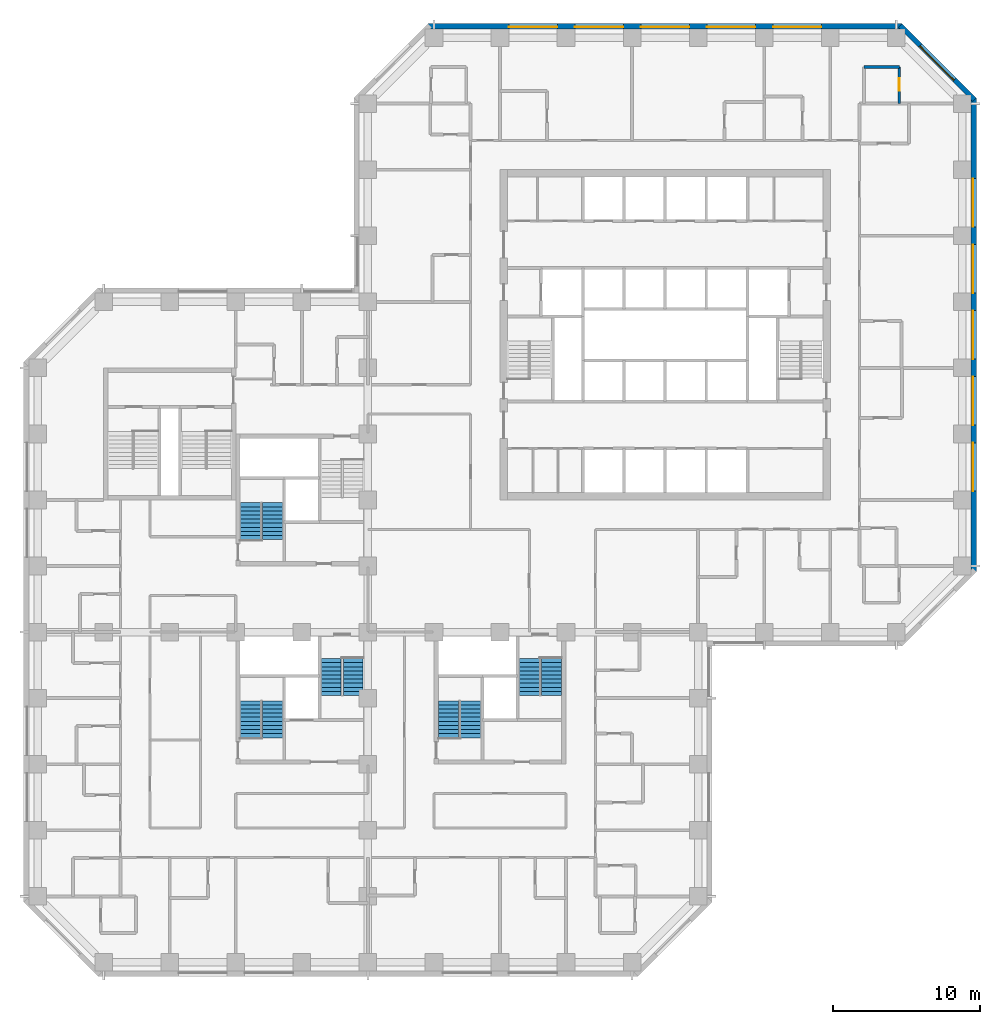
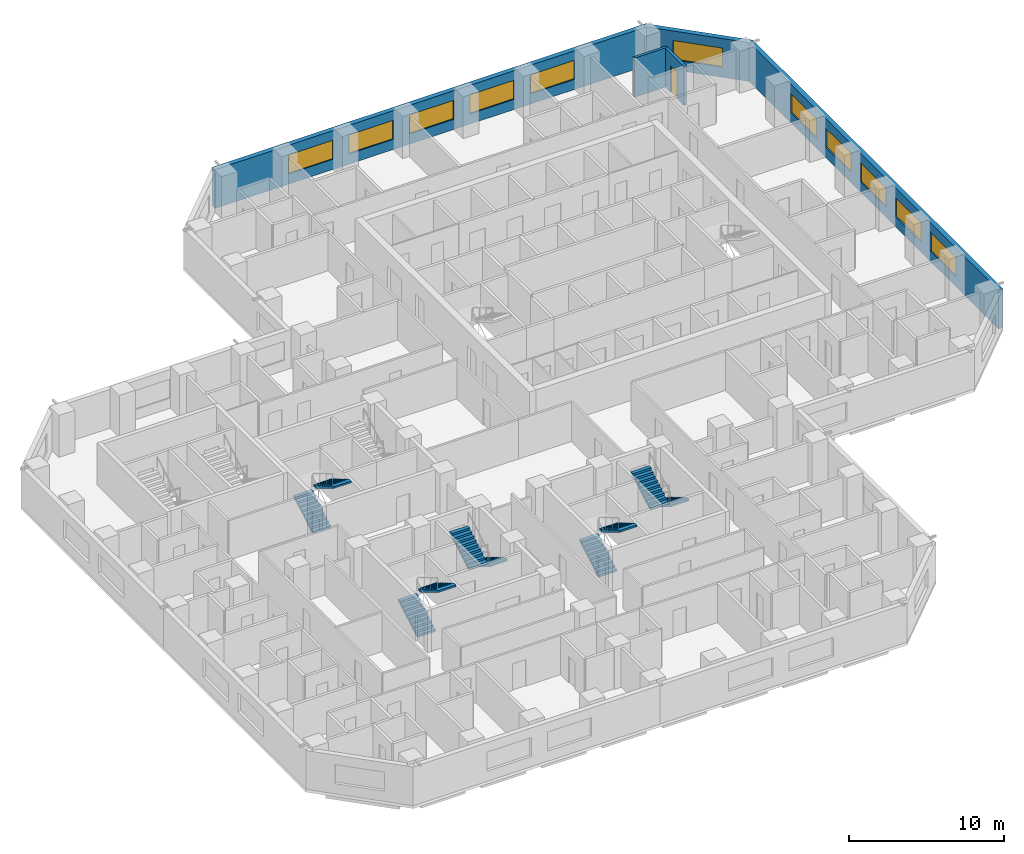
# One storey, part 11 of 13: 11 windows, 10 stair flights, 5 walls, 1 door, 12 openings, 5 elements without a shape of their own.
"""IFC4 building model written with IfcOpenShell, lengths in metres."""

from ifc_helpers import new_model, si_unit, direction, frame, frame_2d, origin, place, context, subcontext, project, spatial, polyline, rectangle, outline, extrude, material, layer, layer_set, constituent, constituent_set, type_object, element, fill, aggregate, save


model = new_model("IFC4")

# Units and contexts
model_context = context("Model", 3, precision=1e-05, world=origin(), true_north=direction((0.0, 1.0)))
body_context = subcontext(model_context, "Body", "Model", "MODEL_VIEW")
ifc_project = project(units=[si_unit("LENGTHUNIT", "METRE"), si_unit("AREAUNIT", "SQUARE_METRE"), si_unit("VOLUMEUNIT", "CUBIC_METRE"), si_unit("PLANEANGLEUNIT", "RADIAN"), si_unit("MASSUNIT", "GRAM", prefix="KILO")], contexts=[model_context])

# Site, building, storey
site_placement = place(None, origin())
site = spatial("IfcSite", under=ifc_project, at=site_placement, CompositionType="ELEMENT")
building_placement = place(site_placement, origin())
building = spatial("IfcBuilding", under=site, at=building_placement, Name="Quoin Convention Tower", CompositionType="ELEMENT")
storey_placement = place(building_placement, frame((0.0, 0.0, 36.300048828125)))
storey = spatial("IfcBuildingStorey", under=building, at=storey_placement, Name="L08", CompositionType="ELEMENT", Elevation=36.300048828125)

# Wall, openings, windows
ifc_material_1 = material(Name="Brick masonry", Category="masonry")
ifc_layer_1 = layer(ifc_material_1, 0.35009765625)
ifc_layer_set_1 = layer_set([ifc_layer_1], Name="Brick masonry")
wall_type_1 = type_object("IfcWallType", Name="Brick facade wall", PredefinedType="STANDARD", material=ifc_layer_set_1)
wall_1_placement = place(storey_placement, frame((77.27490234375, 44.6064453125, 0.0), z_axis=(0.0, 0.0, 1.0), x_axis=(0.0, 1.0, 0.0)))
wall_1 = element("IfcWall", 1, at=wall_1_placement, inside=storey, type_object=wall_type_1, Name="fw-L08-76500_45000", PredefinedType="STANDARD", context=body_context, shape_type="SweptSolid", body=[
    extrude(rectangle(XDim=32.287109375, YDim=0.35009765625, at=frame_2d((16.1435546875, 0.0))), origin(), (0.0, 0.0, 1.0), 3.054931640625),
])
opening_1_placement = place(wall_1_placement, frame((5.493408203125, 0.0, 0.800048828125)))
opening_1 = element("IfcOpeningElement", 2, at=opening_1_placement, cuts=wall_1, Name="Opening W-01", PredefinedType="OPENING", context=body_context, shape_type="SweptSolid", body=[
    extrude(rectangle(XDim=3.300048828125, YDim=1.5, at=frame_2d((1.64990234375, 0.75))), frame((0.0, 0.18505859375, 0.0), z_axis=(0.0, -1.0, 0.0), x_axis=(1.0, 0.0, 0.0)), (0.0, 0.0, 1.0), 0.3701171875),
])
opening_2_placement = place(wall_1_placement, frame((9.993408203125, 0.0, 0.800048828125)))
opening_2 = element("IfcOpeningElement", 3, at=opening_2_placement, cuts=wall_1, Name="Opening W-01", PredefinedType="OPENING", context=body_context, shape_type="SweptSolid", body=[
    extrude(rectangle(XDim=3.300048828125, YDim=1.5, at=frame_2d((1.64990234375, 0.75))), frame((0.0, 0.18505859375, 0.0), z_axis=(0.0, -1.0, 0.0), x_axis=(1.0, 0.0, 0.0)), (0.0, 0.0, 1.0), 0.3701171875),
])
opening_3_placement = place(wall_1_placement, frame((14.493408203125, 0.0, 0.800048828125)))
opening_3 = element("IfcOpeningElement", 4, at=opening_3_placement, cuts=wall_1, Name="Opening W-01", PredefinedType="OPENING", context=body_context, shape_type="SweptSolid", body=[
    extrude(rectangle(XDim=3.300048828125, YDim=1.5, at=frame_2d((1.64990234375, 0.75))), frame((0.0, 0.18505859375, 0.0), z_axis=(0.0, -1.0, 0.0), x_axis=(1.0, 0.0, 0.0)), (0.0, 0.0, 1.0), 0.3701171875),
])
opening_4_placement = place(wall_1_placement, frame((18.993408203125, 0.0, 0.800048828125)))
opening_4 = element("IfcOpeningElement", 5, at=opening_4_placement, cuts=wall_1, Name="Opening W-01", PredefinedType="OPENING", context=body_context, shape_type="SweptSolid", body=[
    extrude(rectangle(XDim=3.300048828125, YDim=1.5, at=frame_2d((1.64990234375, 0.75))), frame((0.0, 0.18505859375, 0.0), z_axis=(0.0, -1.0, 0.0), x_axis=(1.0, 0.0, 0.0)), (0.0, 0.0, 1.0), 0.3701171875),
])
opening_5_placement = place(wall_1_placement, frame((23.493408203125, 0.0, 0.800048828125)))
opening_5 = element("IfcOpeningElement", 6, at=opening_5_placement, cuts=wall_1, Name="Opening W-01", PredefinedType="OPENING", context=body_context, shape_type="SweptSolid", body=[
    extrude(rectangle(XDim=3.300048828125, YDim=1.5, at=frame_2d((1.64990234375, 0.75))), frame((0.0, 0.18505859375, 0.0), z_axis=(0.0, -1.0, 0.0), x_axis=(1.0, 0.0, 0.0)), (0.0, 0.0, 1.0), 0.3701171875),
])
ifc_material_2 = material(Name="Aluminium", Category="aluminium")
ifc_constituent_1 = constituent(ifc_material_2, Name="Frame")
ifc_material_3 = material(Name="Insulated glass", Category="glass")
ifc_constituent_2 = constituent(ifc_material_3, Name="Glazing")
ifc_constituent_set = constituent_set(constituents=[ifc_constituent_1, ifc_constituent_2], Name="Aluminium")
window_type = type_object("IfcWindowType", Name="Hotel strip window", PartitioningType="DOUBLE_PANEL_VERTICAL", PredefinedType="WINDOW", material=ifc_constituent_set)
window_1_placement = place(opening_1_placement, origin())
window_1 = element("IfcWindow", 7, at=window_1_placement, inside=storey, type_object=window_type, Name="win-L08-77275_51750", OverallHeight=1.5, OverallWidth=3.300048828125, PartitioningType="SINGLE_PANEL", PredefinedType="WINDOW", context=body_context, shape_type="SweptSolid", body=[
    extrude(rectangle(XDim=3.300048828125, YDim=1.5, at=frame_2d((1.64990234375, 0.75))), frame((0.0, 0.0849609375, 0.0), z_axis=(0.0, -1.0, 0.0), x_axis=(1.0, 0.0, 0.0)), (0.0, 0.0, 1.0), 0.06005859375),
])
fill(opening_1, window_1)
window_2_placement = place(opening_2_placement, origin())
window_2 = element("IfcWindow", 8, at=window_2_placement, inside=storey, type_object=window_type, Name="win-L08-77275_56250", OverallHeight=1.5, OverallWidth=3.300048828125, PartitioningType="SINGLE_PANEL", PredefinedType="WINDOW", context=body_context, shape_type="SweptSolid", body=[
    extrude(rectangle(XDim=3.300048828125, YDim=1.5, at=frame_2d((1.64990234375, 0.75))), frame((0.0, 0.0849609375, 0.0), z_axis=(0.0, -1.0, 0.0), x_axis=(1.0, 0.0, 0.0)), (0.0, 0.0, 1.0), 0.06005859375),
])
fill(opening_2, window_2)
window_3_placement = place(opening_3_placement, origin())
window_3 = element("IfcWindow", 9, at=window_3_placement, inside=storey, type_object=window_type, Name="win-L08-77275_60750", OverallHeight=1.5, OverallWidth=3.300048828125, PartitioningType="SINGLE_PANEL", PredefinedType="WINDOW", context=body_context, shape_type="SweptSolid", body=[
    extrude(rectangle(XDim=3.300048828125, YDim=1.5, at=frame_2d((1.64990234375, 0.75))), frame((0.0, 0.0849609375, 0.0), z_axis=(0.0, -1.0, 0.0), x_axis=(1.0, 0.0, 0.0)), (0.0, 0.0, 1.0), 0.06005859375),
])
fill(opening_3, window_3)
window_4_placement = place(opening_4_placement, origin())
window_4 = element("IfcWindow", 10, at=window_4_placement, inside=storey, type_object=window_type, Name="win-L08-77275_65250", OverallHeight=1.5, OverallWidth=3.300048828125, PartitioningType="SINGLE_PANEL", PredefinedType="WINDOW", context=body_context, shape_type="SweptSolid", body=[
    extrude(rectangle(XDim=3.300048828125, YDim=1.5, at=frame_2d((1.64990234375, 0.75))), frame((0.0, 0.0849609375, 0.0), z_axis=(0.0, -1.0, 0.0), x_axis=(1.0, 0.0, 0.0)), (0.0, 0.0, 1.0), 0.06005859375),
])
fill(opening_4, window_4)
window_5_placement = place(opening_5_placement, origin())
window_5 = element("IfcWindow", 11, at=window_5_placement, inside=storey, type_object=window_type, Name="win-L08-77275_69750", OverallHeight=1.5, OverallWidth=3.300048828125, PartitioningType="SINGLE_PANEL", PredefinedType="WINDOW", context=body_context, shape_type="SweptSolid", body=[
    extrude(rectangle(XDim=3.300048828125, YDim=1.5, at=frame_2d((1.64990234375, 0.75))), frame((0.0, 0.0849609375, 0.0), z_axis=(0.0, -1.0, 0.0), x_axis=(1.0, 0.0, 0.0)), (0.0, 0.0, 1.0), 0.06005859375),
])
fill(opening_5, window_5)

# Wall, opening, window
wall_2_placement = place(storey_placement, frame((77.326416015625, 76.769775390625, 0.0), z_axis=(0.0, 0.0, 1.0), x_axis=(-0.707106781187, 0.707106781187, 0.0)))
wall_2 = element("IfcWall", 12, at=wall_2_placement, inside=storey, type_object=wall_type_1, Name="fw-L08-76500_76500", PredefinedType="STANDARD", context=body_context, shape_type="SweptSolid", body=[
    extrude(rectangle(XDim=7.151123046875, YDim=0.35009765625, at=frame_2d((3.57568359375, 0.0))), origin(), (0.0, 0.0, 1.0), 3.054931640625),
])
opening_6_placement = place(wall_2_placement, frame((1.925537109375, 0.0, 0.800048828125)))
opening_6 = element("IfcOpeningElement", 13, at=opening_6_placement, cuts=wall_2, Name="Opening W-01", PredefinedType="OPENING", context=body_context, shape_type="SweptSolid", body=[
    extrude(rectangle(XDim=3.300048828125, YDim=1.5, at=frame_2d((1.64990234375, 0.75))), frame((0.0, 0.18505859375, 0.0), z_axis=(0.0, -1.0, 0.0), x_axis=(1.0, 0.0, 0.0)), (0.0, 0.0, 1.0), 0.3701171875),
])
window_6_placement = place(opening_6_placement, origin())
window_6 = element("IfcWindow", 14, at=window_6_placement, inside=storey, type_object=window_type, Name="win-L08-74798_79298", OverallHeight=1.5, OverallWidth=3.300048828125, PartitioningType="SINGLE_PANEL", PredefinedType="WINDOW", context=body_context, shape_type="SweptSolid", body=[
    extrude(rectangle(XDim=3.300048828125, YDim=1.5, at=frame_2d((1.64990234375, 0.75))), frame((0.0, 0.0849609375, 0.0), z_axis=(0.0, -1.0, 0.0), x_axis=(1.0, 0.0, 0.0)), (0.0, 0.0, 1.0), 0.06005859375),
])
fill(opening_6, window_6)

# Wall, openings, windows
wall_3_placement = place(storey_placement, frame((72.3935546875, 81.77490234375, 0.0), z_axis=(0.0, 0.0, 1.0), x_axis=(-1.0, 0.0, 0.0)))
wall_3 = element("IfcWall", 15, at=wall_3_placement, inside=storey, type_object=wall_type_1, Name="fw-L08-72000_81000", PredefinedType="STANDARD", context=body_context, shape_type="SweptSolid", body=[
    extrude(rectangle(XDim=32.287109375, YDim=0.35009765625, at=frame_2d((16.1435546875, 0.0))), origin(), (0.0, 0.0, 1.0), 3.054931640625),
])
opening_7_placement = place(wall_3_placement, frame((5.493408203125, 0.0, 0.800048828125)))
opening_7 = element("IfcOpeningElement", 16, at=opening_7_placement, cuts=wall_3, Name="Opening W-01", PredefinedType="OPENING", context=body_context, shape_type="SweptSolid", body=[
    extrude(rectangle(XDim=3.300048828125, YDim=1.5, at=frame_2d((1.64990234375, 0.75))), frame((0.0, 0.18505859375, 0.0), z_axis=(0.0, -1.0, 0.0), x_axis=(1.0, 0.0, 0.0)), (0.0, 0.0, 1.0), 0.3701171875),
])
opening_8_placement = place(wall_3_placement, frame((9.993408203125, 0.0, 0.800048828125)))
opening_8 = element("IfcOpeningElement", 17, at=opening_8_placement, cuts=wall_3, Name="Opening W-01", PredefinedType="OPENING", context=body_context, shape_type="SweptSolid", body=[
    extrude(rectangle(XDim=3.300048828125, YDim=1.5, at=frame_2d((1.64990234375, 0.75))), frame((0.0, 0.18505859375, 0.0), z_axis=(0.0, -1.0, 0.0), x_axis=(1.0, 0.0, 0.0)), (0.0, 0.0, 1.0), 0.3701171875),
])
opening_9_placement = place(wall_3_placement, frame((14.493408203125, 0.0, 0.800048828125)))
opening_9 = element("IfcOpeningElement", 18, at=opening_9_placement, cuts=wall_3, Name="Opening W-01", PredefinedType="OPENING", context=body_context, shape_type="SweptSolid", body=[
    extrude(rectangle(XDim=3.300048828125, YDim=1.5, at=frame_2d((1.64990234375, 0.75))), frame((0.0, 0.18505859375, 0.0), z_axis=(0.0, -1.0, 0.0), x_axis=(1.0, 0.0, 0.0)), (0.0, 0.0, 1.0), 0.3701171875),
])
opening_10_placement = place(wall_3_placement, frame((18.993408203125, 0.0, 0.800048828125)))
opening_10 = element("IfcOpeningElement", 19, at=opening_10_placement, cuts=wall_3, Name="Opening W-01", PredefinedType="OPENING", context=body_context, shape_type="SweptSolid", body=[
    extrude(rectangle(XDim=3.300048828125, YDim=1.5, at=frame_2d((1.64990234375, 0.75))), frame((0.0, 0.18505859375, 0.0), z_axis=(0.0, -1.0, 0.0), x_axis=(1.0, 0.0, 0.0)), (0.0, 0.0, 1.0), 0.3701171875),
])
opening_11_placement = place(wall_3_placement, frame((23.493408203125, 0.0, 0.800048828125)))
opening_11 = element("IfcOpeningElement", 20, at=opening_11_placement, cuts=wall_3, Name="Opening W-01", PredefinedType="OPENING", context=body_context, shape_type="SweptSolid", body=[
    extrude(rectangle(XDim=3.300048828125, YDim=1.5, at=frame_2d((1.64990234375, 0.75))), frame((0.0, 0.18505859375, 0.0), z_axis=(0.0, -1.0, 0.0), x_axis=(1.0, 0.0, 0.0)), (0.0, 0.0, 1.0), 0.3701171875),
])
window_7_placement = place(opening_7_placement, origin())
window_7 = element("IfcWindow", 21, at=window_7_placement, inside=storey, type_object=window_type, Name="win-L08-65250_81775", OverallHeight=1.5, OverallWidth=3.300048828125, PartitioningType="SINGLE_PANEL", PredefinedType="WINDOW", context=body_context, shape_type="SweptSolid", body=[
    extrude(rectangle(XDim=3.300048828125, YDim=1.5, at=frame_2d((1.64990234375, 0.75))), frame((0.0, 0.0849609375, 0.0), z_axis=(0.0, -1.0, 0.0), x_axis=(1.0, 0.0, 0.0)), (0.0, 0.0, 1.0), 0.06005859375),
])
fill(opening_7, window_7)
window_8_placement = place(opening_8_placement, origin())
window_8 = element("IfcWindow", 22, at=window_8_placement, inside=storey, type_object=window_type, Name="win-L08-60750_81775", OverallHeight=1.5, OverallWidth=3.300048828125, PartitioningType="SINGLE_PANEL", PredefinedType="WINDOW", context=body_context, shape_type="SweptSolid", body=[
    extrude(rectangle(XDim=3.300048828125, YDim=1.5, at=frame_2d((1.64990234375, 0.75))), frame((0.0, 0.0849609375, 0.0), z_axis=(0.0, -1.0, 0.0), x_axis=(1.0, 0.0, 0.0)), (0.0, 0.0, 1.0), 0.06005859375),
])
fill(opening_8, window_8)
window_9_placement = place(opening_9_placement, origin())
window_9 = element("IfcWindow", 23, at=window_9_placement, inside=storey, type_object=window_type, Name="win-L08-56250_81775", OverallHeight=1.5, OverallWidth=3.300048828125, PartitioningType="SINGLE_PANEL", PredefinedType="WINDOW", context=body_context, shape_type="SweptSolid", body=[
    extrude(rectangle(XDim=3.300048828125, YDim=1.5, at=frame_2d((1.64990234375, 0.75))), frame((0.0, 0.0849609375, 0.0), z_axis=(0.0, -1.0, 0.0), x_axis=(1.0, 0.0, 0.0)), (0.0, 0.0, 1.0), 0.06005859375),
])
fill(opening_9, window_9)
window_10_placement = place(opening_10_placement, origin())
window_10 = element("IfcWindow", 24, at=window_10_placement, inside=storey, type_object=window_type, Name="win-L08-51750_81775", OverallHeight=1.5, OverallWidth=3.300048828125, PartitioningType="SINGLE_PANEL", PredefinedType="WINDOW", context=body_context, shape_type="SweptSolid", body=[
    extrude(rectangle(XDim=3.300048828125, YDim=1.5, at=frame_2d((1.64990234375, 0.75))), frame((0.0, 0.0849609375, 0.0), z_axis=(0.0, -1.0, 0.0), x_axis=(1.0, 0.0, 0.0)), (0.0, 0.0, 1.0), 0.06005859375),
])
fill(opening_10, window_10)
window_11_placement = place(opening_11_placement, origin())
window_11 = element("IfcWindow", 25, at=window_11_placement, inside=storey, type_object=window_type, Name="win-L08-47250_81775", OverallHeight=1.5, OverallWidth=3.300048828125, PartitioningType="SINGLE_PANEL", PredefinedType="WINDOW", context=body_context, shape_type="SweptSolid", body=[
    extrude(rectangle(XDim=3.300048828125, YDim=1.5, at=frame_2d((1.64990234375, 0.75))), frame((0.0, 0.0849609375, 0.0), z_axis=(0.0, -1.0, 0.0), x_axis=(1.0, 0.0, 0.0)), (0.0, 0.0, 1.0), 0.06005859375),
])
fill(opening_11, window_11)

# Wall, opening, door
ifc_material_4 = material(Name="Concrete C50", Category="concrete")
ifc_layer_2 = layer(ifc_material_4, 0.199951171875)
ifc_layer_set_2 = layer_set([ifc_layer_2], Name="Concrete C50")
wall_type_2 = type_object("IfcWallType", Name="RC party wall", PredefinedType="SOLIDWALL", material=ifc_layer_set_2)
wall_4_placement = place(storey_placement, frame((72.199951171875, 76.5, 0.0), z_axis=(0.0, 0.0, 1.0), x_axis=(0.0, 1.0, 0.0)))
wall_4 = element("IfcWall", 26, at=wall_4_placement, inside=storey, type_object=wall_type_2, Name="pw-L08-148", PredefinedType="SOLIDWALL", context=body_context, shape_type="SweptSolid", body=[
    extrude(rectangle(XDim=2.5, YDim=0.199951171875, at=frame_2d((1.25, 0.0))), origin(), (0.0, 0.0, 1.0), 3.079833984375),
])
opening_12_placement = place(wall_4_placement, frame((0.875, 0.0, 0.0)))
opening_12 = element("IfcOpeningElement", 27, at=opening_12_placement, cuts=wall_4, Name="Opening DHOTEL-D-73", PredefinedType="OPENING", context=body_context, shape_type="SweptSolid", body=[
    extrude(rectangle(XDim=0.85009765625, YDim=2.10009765625, at=frame_2d((0.425048828125, 1.050048828125))), frame((0.0, 0.10986328125, 0.0), z_axis=(0.0, -1.0, 0.0), x_axis=(1.0, 0.0, 0.0)), (0.0, 0.0, 1.0), 0.219970703125),
])
ifc_material_5 = material(Name="Steel door leaf", Category="steel")
door_type = type_object("IfcDoorType", Name="Bathroom door", OperationType="SINGLE_SWING_LEFT", PredefinedType="DOOR", material=ifc_material_5)
door_placement = place(opening_12_placement, frame((0.85009765625, 0.0, 0.0), z_axis=(0.0, 0.0, 1.0), x_axis=(-1.0, 0.0, 0.0)))
door = element("IfcDoor", 28, at=door_placement, inside=storey, type_object=door_type, Name="dr-L08-068", OperationType="SINGLE_SWING_LEFT", OverallHeight=2.10009765625, OverallWidth=0.85009765625, PredefinedType="DOOR", context=body_context, shape_type="SweptSolid", body=[
    extrude(rectangle(XDim=0.85009765625, YDim=2.10009765625, at=frame_2d((0.425048828125, 1.050048828125))), frame((0.0, 0.02490234375, 0.0), z_axis=(0.0, -1.0, 0.0), x_axis=(1.0, 0.0, 0.0)), (0.0, 0.0, 1.0), 0.050048828125),
])
fill(opening_12, door)

# Wall
wall_5_placement = place(storey_placement, frame((69.800048828125, 79.0, 0.0), z_axis=(0.0, 0.0, 1.0), x_axis=(1.0, 0.0, 0.0)))
element("IfcWall", 29, at=wall_5_placement, inside=storey, type_object=wall_type_2, Name="pw-L08-153", PredefinedType="SOLIDWALL", context=body_context, shape_type="SweptSolid", body=[
    extrude(rectangle(XDim=2.39990234375, YDim=0.199951171875, at=frame_2d((1.199951171875, 0.0))), origin(), (0.0, 0.0, 1.0), 3.079833984375),
])

# Stair, stair flights
ifc_material_6 = material(Name="Concrete C40", Category="concrete")
stair_type = type_object("IfcStairType", Name="Exit stair two-flight 1350", PredefinedType="HALF_TURN_STAIR", material=ifc_material_6)
stair_1_placement = place(storey_placement, origin())
stair_1 = element("IfcStair", 30, at=stair_1_placement, inside=storey, type_object=stair_type, Name="SD3 L08", PredefinedType="HALF_TURN_STAIR")
stair_flight_type = type_object("IfcStairFlightType", Name="Stair flight 1350", PredefinedType="STRAIGHT", material=ifc_material_6)
stair_flight_1_placement = place(storey_placement, frame((28.0, 46.800048828125, 0.0), z_axis=(0.0, 0.0, 1.0), x_axis=(0.0, 1.0, 0.0)))
stair_flight_1 = element("IfcStairFlight", 31, at=stair_flight_1_placement, type_object=stair_flight_type, Name="ST3 flight 1", NumberOfRisers=10, NumberOfTreads=9, PredefinedType="STRAIGHT", RiserHeight=0.165, TreadLength=0.28, context=body_context, shape_type="SweptSolid", body=[
    extrude(outline(polyline([(0.0, 0.0), (0.0, 0.1650390625), (0.280029296875, 0.1650390625), (0.280029296875, 0.330078125), (0.56005859375, 0.330078125), (0.56005859375, 0.4951171875), (0.840087890625, 0.4951171875), (0.840087890625, 0.659912109375), (1.1201171875, 0.659912109375), (1.1201171875, 0.824951171875), (1.39990234375, 0.824951171875), (1.39990234375, 0.989990234375), (1.679931640625, 0.989990234375), (1.679931640625, 1.155029296875), (1.9599609375, 1.155029296875), (1.9599609375, 1.320068359375), (2.239990234375, 1.320068359375), (2.239990234375, 1.485107421875), (2.52001953125, 1.485107421875), (2.52001953125, 1.64990234375), (2.52001953125, 1.345458984375), (0.236572265625, 0.0), (0.0, 0.0)])), frame((0.0, 0.675048828125, 0.0), z_axis=(0.0, -1.0, 0.0), x_axis=(1.0, 0.0, 0.0)), (0.0, 0.0, 1.0), 1.35009765625),
])
stair_flight_2_placement = place(storey_placement, frame((29.5, 49.320068359375, 1.64990234375), z_axis=(0.0, 0.0, 1.0), x_axis=(0.0, -1.0, 0.0)))
stair_flight_2 = element("IfcStairFlight", 32, at=stair_flight_2_placement, type_object=stair_flight_type, Name="ST3 flight 2", NumberOfRisers=10, NumberOfTreads=9, PredefinedType="STRAIGHT", RiserHeight=0.165, TreadLength=0.28, context=body_context, shape_type="SweptSolid", body=[
    extrude(outline(polyline([(0.0, 0.0), (0.0, 0.1650390625), (0.280029296875, 0.1650390625), (0.280029296875, 0.330078125), (0.56005859375, 0.330078125), (0.56005859375, 0.4951171875), (0.840087890625, 0.4951171875), (0.840087890625, 0.659912109375), (1.1201171875, 0.659912109375), (1.1201171875, 0.824951171875), (1.39990234375, 0.824951171875), (1.39990234375, 0.989990234375), (1.679931640625, 0.989990234375), (1.679931640625, 1.155029296875), (1.9599609375, 1.155029296875), (1.9599609375, 1.320068359375), (2.239990234375, 1.320068359375), (2.239990234375, 1.485107421875), (2.52001953125, 1.485107421875), (2.52001953125, 1.64990234375), (2.52001953125, 1.345458984375), (0.236572265625, 0.0), (0.0, 0.0)])), frame((0.0, 0.675048828125, 0.0), z_axis=(0.0, -1.0, 0.0), x_axis=(1.0, 0.0, 0.0)), (0.0, 0.0, 1.0), 1.35009765625),
])
aggregate(stair_1, [stair_flight_1, stair_flight_2])

stair_2_placement = place(storey_placement, origin())
stair_2 = element("IfcStair", 33, at=stair_2_placement, inside=storey, type_object=stair_type, Name="SD5 L08", PredefinedType="HALF_TURN_STAIR")
stair_flight_3_placement = place(storey_placement, frame((41.5, 33.300048828125, 0.0), z_axis=(0.0, 0.0, 1.0), x_axis=(0.0, 1.0, 0.0)))
stair_flight_3 = element("IfcStairFlight", 34, at=stair_flight_3_placement, type_object=stair_flight_type, Name="ST5 flight 1", NumberOfRisers=10, NumberOfTreads=9, PredefinedType="STRAIGHT", RiserHeight=0.165, TreadLength=0.28, context=body_context, shape_type="SweptSolid", body=[
    extrude(outline(polyline([(0.0, 0.0), (0.0, 0.1650390625), (0.280029296875, 0.1650390625), (0.280029296875, 0.330078125), (0.56005859375, 0.330078125), (0.56005859375, 0.4951171875), (0.840087890625, 0.4951171875), (0.840087890625, 0.659912109375), (1.1201171875, 0.659912109375), (1.1201171875, 0.824951171875), (1.39990234375, 0.824951171875), (1.39990234375, 0.989990234375), (1.679931640625, 0.989990234375), (1.679931640625, 1.155029296875), (1.9599609375, 1.155029296875), (1.9599609375, 1.320068359375), (2.239990234375, 1.320068359375), (2.239990234375, 1.485107421875), (2.52001953125, 1.485107421875), (2.52001953125, 1.64990234375), (2.52001953125, 1.345458984375), (0.236572265625, 0.0), (0.0, 0.0)])), frame((0.0, 0.675048828125, 0.0), z_axis=(0.0, -1.0, 0.0), x_axis=(1.0, 0.0, 0.0)), (0.0, 0.0, 1.0), 1.35009765625),
])
stair_flight_4_placement = place(storey_placement, frame((43.0, 35.820068359375, 1.64990234375), z_axis=(0.0, 0.0, 1.0), x_axis=(0.0, -1.0, 0.0)))
stair_flight_4 = element("IfcStairFlight", 35, at=stair_flight_4_placement, type_object=stair_flight_type, Name="ST5 flight 2", NumberOfRisers=10, NumberOfTreads=9, PredefinedType="STRAIGHT", RiserHeight=0.165, TreadLength=0.28, context=body_context, shape_type="SweptSolid", body=[
    extrude(outline(polyline([(0.0, 0.0), (0.0, 0.1650390625), (0.280029296875, 0.1650390625), (0.280029296875, 0.330078125), (0.56005859375, 0.330078125), (0.56005859375, 0.4951171875), (0.840087890625, 0.4951171875), (0.840087890625, 0.659912109375), (1.1201171875, 0.659912109375), (1.1201171875, 0.824951171875), (1.39990234375, 0.824951171875), (1.39990234375, 0.989990234375), (1.679931640625, 0.989990234375), (1.679931640625, 1.155029296875), (1.9599609375, 1.155029296875), (1.9599609375, 1.320068359375), (2.239990234375, 1.320068359375), (2.239990234375, 1.485107421875), (2.52001953125, 1.485107421875), (2.52001953125, 1.64990234375), (2.52001953125, 1.345458984375), (0.236572265625, 0.0), (0.0, 0.0)])), frame((0.0, 0.675048828125, 0.0), z_axis=(0.0, -1.0, 0.0), x_axis=(1.0, 0.0, 0.0)), (0.0, 0.0, 1.0), 1.35009765625),
])
aggregate(stair_2, [stair_flight_3, stair_flight_4])

stair_3_placement = place(storey_placement, origin())
stair_3 = element("IfcStair", 36, at=stair_3_placement, inside=storey, type_object=stair_type, Name="SD6 L08", PredefinedType="HALF_TURN_STAIR")
stair_flight_5_placement = place(storey_placement, frame((48.5, 38.699951171875, 0.0), z_axis=(0.0, 0.0, 1.0), x_axis=(0.0, -1.0, 0.0)))
stair_flight_5 = element("IfcStairFlight", 37, at=stair_flight_5_placement, type_object=stair_flight_type, Name="ST6 flight 1", NumberOfRisers=10, NumberOfTreads=9, PredefinedType="STRAIGHT", RiserHeight=0.165, TreadLength=0.28, context=body_context, shape_type="SweptSolid", body=[
    extrude(outline(polyline([(0.0, 0.0), (0.0, 0.1650390625), (0.280029296875, 0.1650390625), (0.280029296875, 0.330078125), (0.56005859375, 0.330078125), (0.56005859375, 0.4951171875), (0.840087890625, 0.4951171875), (0.840087890625, 0.659912109375), (1.1201171875, 0.659912109375), (1.1201171875, 0.824951171875), (1.39990234375, 0.824951171875), (1.39990234375, 0.989990234375), (1.679931640625, 0.989990234375), (1.679931640625, 1.155029296875), (1.9599609375, 1.155029296875), (1.9599609375, 1.320068359375), (2.239990234375, 1.320068359375), (2.239990234375, 1.485107421875), (2.52001953125, 1.485107421875), (2.52001953125, 1.64990234375), (2.52001953125, 1.345458984375), (0.236572265625, 0.0), (0.0, 0.0)])), frame((0.0, 0.675048828125, 0.0), z_axis=(0.0, -1.0, 0.0), x_axis=(1.0, 0.0, 0.0)), (0.0, 0.0, 1.0), 1.35009765625),
])
stair_flight_6_placement = place(storey_placement, frame((47.0, 36.179931640625, 1.64990234375), z_axis=(0.0, 0.0, 1.0), x_axis=(0.0, 1.0, 0.0)))
stair_flight_6 = element("IfcStairFlight", 38, at=stair_flight_6_placement, type_object=stair_flight_type, Name="ST6 flight 2", NumberOfRisers=10, NumberOfTreads=9, PredefinedType="STRAIGHT", RiserHeight=0.165, TreadLength=0.28, context=body_context, shape_type="SweptSolid", body=[
    extrude(outline(polyline([(0.0, 0.0), (0.0, 0.1650390625), (0.280029296875, 0.1650390625), (0.280029296875, 0.330078125), (0.56005859375, 0.330078125), (0.56005859375, 0.4951171875), (0.840087890625, 0.4951171875), (0.840087890625, 0.659912109375), (1.1201171875, 0.659912109375), (1.1201171875, 0.824951171875), (1.39990234375, 0.824951171875), (1.39990234375, 0.989990234375), (1.679931640625, 0.989990234375), (1.679931640625, 1.155029296875), (1.9599609375, 1.155029296875), (1.9599609375, 1.320068359375), (2.239990234375, 1.320068359375), (2.239990234375, 1.485107421875), (2.52001953125, 1.485107421875), (2.52001953125, 1.64990234375), (2.52001953125, 1.345458984375), (0.236572265625, 0.0), (0.0, 0.0)])), frame((0.0, 0.675048828125, 0.0), z_axis=(0.0, -1.0, 0.0), x_axis=(1.0, 0.0, 0.0)), (0.0, 0.0, 1.0), 1.35009765625),
])
aggregate(stair_3, [stair_flight_5, stair_flight_6])

stair_4_placement = place(storey_placement, origin())
stair_4 = element("IfcStair", 39, at=stair_4_placement, inside=storey, type_object=stair_type, Name="SD7 L08", PredefinedType="HALF_TURN_STAIR")
stair_flight_7_placement = place(storey_placement, frame((28.0, 33.300048828125, 0.0), z_axis=(0.0, 0.0, 1.0), x_axis=(0.0, 1.0, 0.0)))
stair_flight_7 = element("IfcStairFlight", 40, at=stair_flight_7_placement, type_object=stair_flight_type, Name="ST7 flight 1", NumberOfRisers=10, NumberOfTreads=9, PredefinedType="STRAIGHT", RiserHeight=0.165, TreadLength=0.28, context=body_context, shape_type="SweptSolid", body=[
    extrude(outline(polyline([(0.0, 0.0), (0.0, 0.1650390625), (0.280029296875, 0.1650390625), (0.280029296875, 0.330078125), (0.56005859375, 0.330078125), (0.56005859375, 0.4951171875), (0.840087890625, 0.4951171875), (0.840087890625, 0.659912109375), (1.1201171875, 0.659912109375), (1.1201171875, 0.824951171875), (1.39990234375, 0.824951171875), (1.39990234375, 0.989990234375), (1.679931640625, 0.989990234375), (1.679931640625, 1.155029296875), (1.9599609375, 1.155029296875), (1.9599609375, 1.320068359375), (2.239990234375, 1.320068359375), (2.239990234375, 1.485107421875), (2.52001953125, 1.485107421875), (2.52001953125, 1.64990234375), (2.52001953125, 1.345458984375), (0.236572265625, 0.0), (0.0, 0.0)])), frame((0.0, 0.675048828125, 0.0), z_axis=(0.0, -1.0, 0.0), x_axis=(1.0, 0.0, 0.0)), (0.0, 0.0, 1.0), 1.35009765625),
])
stair_flight_8_placement = place(storey_placement, frame((29.5, 35.820068359375, 1.64990234375), z_axis=(0.0, 0.0, 1.0), x_axis=(0.0, -1.0, 0.0)))
stair_flight_8 = element("IfcStairFlight", 41, at=stair_flight_8_placement, type_object=stair_flight_type, Name="ST7 flight 2", NumberOfRisers=10, NumberOfTreads=9, PredefinedType="STRAIGHT", RiserHeight=0.165, TreadLength=0.28, context=body_context, shape_type="SweptSolid", body=[
    extrude(outline(polyline([(0.0, 0.0), (0.0, 0.1650390625), (0.280029296875, 0.1650390625), (0.280029296875, 0.330078125), (0.56005859375, 0.330078125), (0.56005859375, 0.4951171875), (0.840087890625, 0.4951171875), (0.840087890625, 0.659912109375), (1.1201171875, 0.659912109375), (1.1201171875, 0.824951171875), (1.39990234375, 0.824951171875), (1.39990234375, 0.989990234375), (1.679931640625, 0.989990234375), (1.679931640625, 1.155029296875), (1.9599609375, 1.155029296875), (1.9599609375, 1.320068359375), (2.239990234375, 1.320068359375), (2.239990234375, 1.485107421875), (2.52001953125, 1.485107421875), (2.52001953125, 1.64990234375), (2.52001953125, 1.345458984375), (0.236572265625, 0.0), (0.0, 0.0)])), frame((0.0, 0.675048828125, 0.0), z_axis=(0.0, -1.0, 0.0), x_axis=(1.0, 0.0, 0.0)), (0.0, 0.0, 1.0), 1.35009765625),
])
aggregate(stair_4, [stair_flight_7, stair_flight_8])

stair_5_placement = place(storey_placement, origin())
stair_5 = element("IfcStair", 42, at=stair_5_placement, inside=storey, type_object=stair_type, Name="SD8 L08", PredefinedType="HALF_TURN_STAIR")
stair_flight_9_placement = place(storey_placement, frame((35.0, 38.699951171875, 0.0), z_axis=(0.0, 0.0, 1.0), x_axis=(0.0, -1.0, 0.0)))
stair_flight_9 = element("IfcStairFlight", 43, at=stair_flight_9_placement, type_object=stair_flight_type, Name="ST8 flight 1", NumberOfRisers=10, NumberOfTreads=9, PredefinedType="STRAIGHT", RiserHeight=0.165, TreadLength=0.28, context=body_context, shape_type="SweptSolid", body=[
    extrude(outline(polyline([(0.0, 0.0), (0.0, 0.1650390625), (0.280029296875, 0.1650390625), (0.280029296875, 0.330078125), (0.56005859375, 0.330078125), (0.56005859375, 0.4951171875), (0.840087890625, 0.4951171875), (0.840087890625, 0.659912109375), (1.1201171875, 0.659912109375), (1.1201171875, 0.824951171875), (1.39990234375, 0.824951171875), (1.39990234375, 0.989990234375), (1.679931640625, 0.989990234375), (1.679931640625, 1.155029296875), (1.9599609375, 1.155029296875), (1.9599609375, 1.320068359375), (2.239990234375, 1.320068359375), (2.239990234375, 1.485107421875), (2.52001953125, 1.485107421875), (2.52001953125, 1.64990234375), (2.52001953125, 1.345458984375), (0.236572265625, 0.0), (0.0, 0.0)])), frame((0.0, 0.675048828125, 0.0), z_axis=(0.0, -1.0, 0.0), x_axis=(1.0, 0.0, 0.0)), (0.0, 0.0, 1.0), 1.35009765625),
])
stair_flight_10_placement = place(storey_placement, frame((33.5, 36.179931640625, 1.64990234375), z_axis=(0.0, 0.0, 1.0), x_axis=(0.0, 1.0, 0.0)))
stair_flight_10 = element("IfcStairFlight", 44, at=stair_flight_10_placement, type_object=stair_flight_type, Name="ST8 flight 2", NumberOfRisers=10, NumberOfTreads=9, PredefinedType="STRAIGHT", RiserHeight=0.165, TreadLength=0.28, context=body_context, shape_type="SweptSolid", body=[
    extrude(outline(polyline([(0.0, 0.0), (0.0, 0.1650390625), (0.280029296875, 0.1650390625), (0.280029296875, 0.330078125), (0.56005859375, 0.330078125), (0.56005859375, 0.4951171875), (0.840087890625, 0.4951171875), (0.840087890625, 0.659912109375), (1.1201171875, 0.659912109375), (1.1201171875, 0.824951171875), (1.39990234375, 0.824951171875), (1.39990234375, 0.989990234375), (1.679931640625, 0.989990234375), (1.679931640625, 1.155029296875), (1.9599609375, 1.155029296875), (1.9599609375, 1.320068359375), (2.239990234375, 1.320068359375), (2.239990234375, 1.485107421875), (2.52001953125, 1.485107421875), (2.52001953125, 1.64990234375), (2.52001953125, 1.345458984375), (0.236572265625, 0.0), (0.0, 0.0)])), frame((0.0, 0.675048828125, 0.0), z_axis=(0.0, -1.0, 0.0), x_axis=(1.0, 0.0, 0.0)), (0.0, 0.0, 1.0), 1.35009765625),
])
aggregate(stair_5, [stair_flight_9, stair_flight_10])

save(model, "model.ifc")
